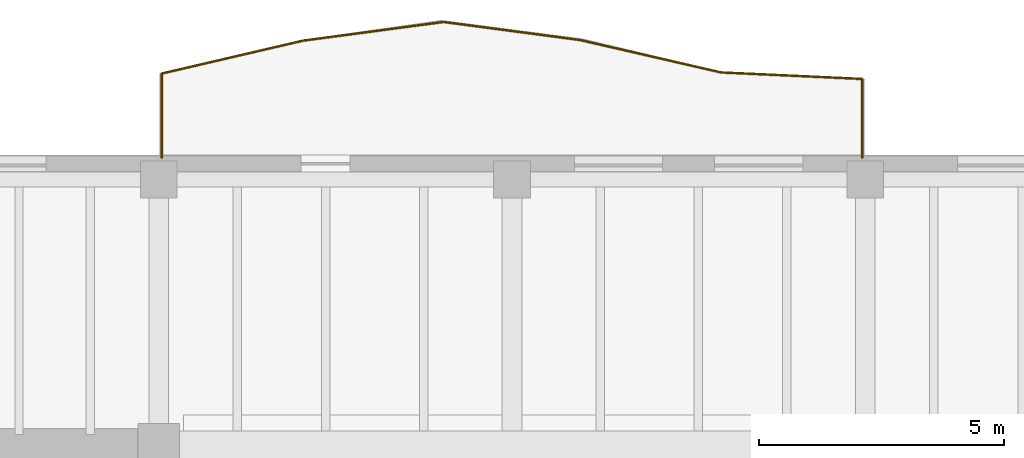
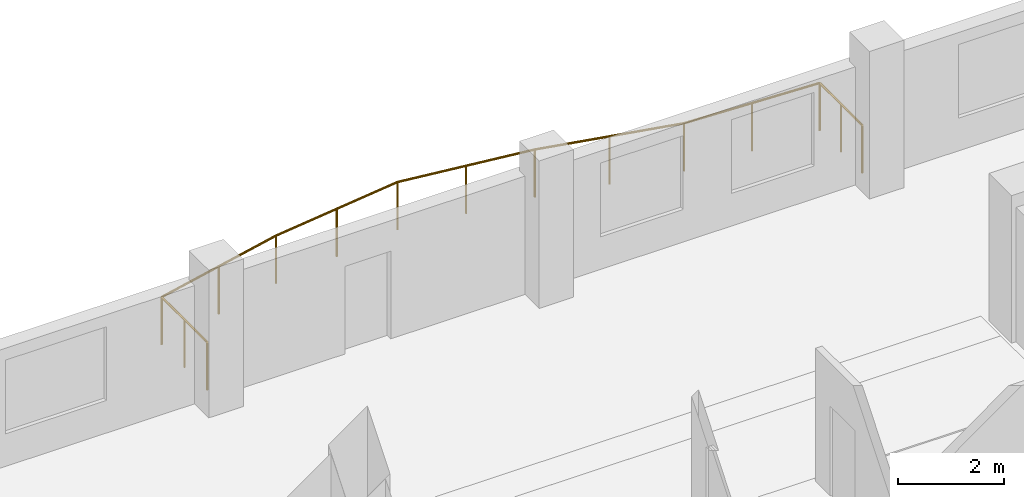
# One storey, part 10 of 11: 1 railing.
"""IFC4 building model written with IfcOpenShell, lengths in metres."""

from ifc_helpers import new_model, si_unit, direction, frame, origin, origin_2d, place, context, subcontext, project, spatial, circle, extrude, material, type_object, element, save


model = new_model("IFC4")

# Units and contexts
model_context = context("Model", 3, precision=1e-05, world=origin(), true_north=direction((0.0, 1.0)))
body_context = subcontext(model_context, "Body", "Model", "MODEL_VIEW")
ifc_project = project(units=[si_unit("LENGTHUNIT", "METRE"), si_unit("AREAUNIT", "SQUARE_METRE"), si_unit("VOLUMEUNIT", "CUBIC_METRE"), si_unit("PLANEANGLEUNIT", "RADIAN"), si_unit("MASSUNIT", "GRAM", prefix="KILO")], contexts=[model_context])

# Site, building, storey
site_placement = place(None, origin())
site = spatial("IfcSite", under=ifc_project, at=site_placement, CompositionType="ELEMENT")
building_placement = place(site_placement, origin())
building = spatial("IfcBuilding", under=site, at=building_placement, Name="Kranthara Brick Stack", CompositionType="ELEMENT")
storey_placement = place(building_placement, frame((0.0, 0.0, 210.89990234375)))
storey = spatial("IfcBuildingStorey", under=building, at=storey_placement, Name="L54", CompositionType="ELEMENT", Elevation=210.89990234375)

# Railing
ifc_material = material(Name="Bronze anodised aluminium and laminated glass balustrade", Category="aluminium")
railing_type = type_object("IfcRailingType", Name="RL-BALC-1120", PredefinedType="BALUSTRADE", material=ifc_material)
railing_placement = place(storey_placement, frame((20.860107421875, 39.43994140625, 0.0)))
element("IfcRailing", 1, at=railing_placement, inside=storey, type_object=railing_type, Name="L54 North Rippling Balcony Balustrade", PredefinedType="BALUSTRADE", context=body_context, shape_type="SweptSolid", body=[
    extrude(circle(Radius=0.02392578125, at=origin_2d()), frame((0.0, 0.0, 1.09619140625), z_axis=(0.0, 1.0, 0.0), x_axis=(-1.0, 0.0, 0.0)), (0.0, 0.0, 1.0), 1.7197265625),
    extrude(circle(Radius=0.02392578125, at=origin_2d()), frame((0.0, 1.7197265625, 1.09619140625), z_axis=(0.973941028342, 0.226801396186, 0.0), x_axis=(-0.226801396186, 0.973941028342, 0.0)), (0.0, 0.0, 1.0), 2.9560546875),
    extrude(circle(Radius=0.02392578125, at=origin_2d()), frame((2.87890625, 2.39013671875, 1.09619140625), z_axis=(0.991280167339, 0.131771126732, 0.0), x_axis=(-0.131771126732, 0.991280167339, 0.0)), (0.0, 0.0, 1.0), 2.89208984375),
    extrude(circle(Radius=0.02392578125, at=origin_2d()), frame((5.745849609375, 2.771240234375, 1.09619140625), z_axis=(0.991356596484, -0.131194887889, 0.0), x_axis=(0.131194887889, 0.991356596484, 0.0)), (0.0, 0.0, 1.0), 2.80615234375),
    extrude(circle(Radius=0.02392578125, at=origin_2d()), frame((8.52783203125, 2.403076171875, 1.09619140625), z_axis=(0.974550119401, -0.224169723147, 0.0), x_axis=(0.224169723147, 0.974550119401, 0.0)), (0.0, 0.0, 1.0), 2.947021484375),
    extrude(circle(Radius=0.02392578125, at=origin_2d()), frame((11.39990234375, 1.742431640625, 1.09619140625), z_axis=(0.99894218285, -0.045983859383, 0.0), x_axis=(0.045983859383, 0.99894218285, 0.0)), (0.0, 0.0, 1.0), 2.8828125),
    extrude(circle(Radius=0.02392578125, at=origin_2d()), frame((14.27978515625, 1.60986328125, 1.09619140625), z_axis=(0.0, -1.0, 0.0), x_axis=(1.0, 0.0, 0.0)), (0.0, 0.0, 1.0), 1.60986328125),
    extrude(circle(Radius=0.02099609375, at=origin_2d()), origin(), (0.0, 0.0, 1.0), 1.072021484375),
    extrude(circle(Radius=0.02099609375, at=origin_2d()), frame((0.0, 0.85986328125, 0.0)), (0.0, 0.0, 1.0), 1.072021484375),
    extrude(circle(Radius=0.02099609375, at=origin_2d()), frame((0.0, 1.7197265625, 0.0)), (0.0, 0.0, 1.0), 1.072021484375),
    extrude(circle(Radius=0.02099609375, at=origin_2d()), frame((1.439453125, 2.054931640625, 0.0)), (0.0, 0.0, 1.0), 1.072021484375),
    extrude(circle(Radius=0.02099609375, at=origin_2d()), frame((2.87890625, 2.39013671875, 0.0)), (0.0, 0.0, 1.0), 1.072021484375),
    extrude(circle(Radius=0.02099609375, at=origin_2d()), frame((4.3125, 2.58056640625, 0.0)), (0.0, 0.0, 1.0), 1.072021484375),
    extrude(circle(Radius=0.02099609375, at=origin_2d()), frame((5.745849609375, 2.771240234375, 0.0)), (0.0, 0.0, 1.0), 1.072021484375),
    extrude(circle(Radius=0.02099609375, at=origin_2d()), frame((7.13671875, 2.587158203125, 0.0)), (0.0, 0.0, 1.0), 1.072021484375),
    extrude(circle(Radius=0.02099609375, at=origin_2d()), frame((8.52783203125, 2.403076171875, 0.0)), (0.0, 0.0, 1.0), 1.072021484375),
    extrude(circle(Radius=0.02099609375, at=origin_2d()), frame((9.9638671875, 2.07275390625, 0.0)), (0.0, 0.0, 1.0), 1.072021484375),
    extrude(circle(Radius=0.02099609375, at=origin_2d()), frame((11.39990234375, 1.742431640625, 0.0)), (0.0, 0.0, 1.0), 1.072021484375),
    extrude(circle(Radius=0.02099609375, at=origin_2d()), frame((12.83984375, 1.67626953125, 0.0)), (0.0, 0.0, 1.0), 1.072021484375),
    extrude(circle(Radius=0.02099609375, at=origin_2d()), frame((14.27978515625, 1.60986328125, 0.0)), (0.0, 0.0, 1.0), 1.072021484375),
    extrude(circle(Radius=0.02099609375, at=origin_2d()), frame((14.27978515625, 0.804931640625, 0.0)), (0.0, 0.0, 1.0), 1.072021484375),
    extrude(circle(Radius=0.02099609375, at=origin_2d()), frame((14.27978515625, 0.0, 0.0)), (0.0, 0.0, 1.0), 1.072021484375),
])

save(model, "model.ifc")
